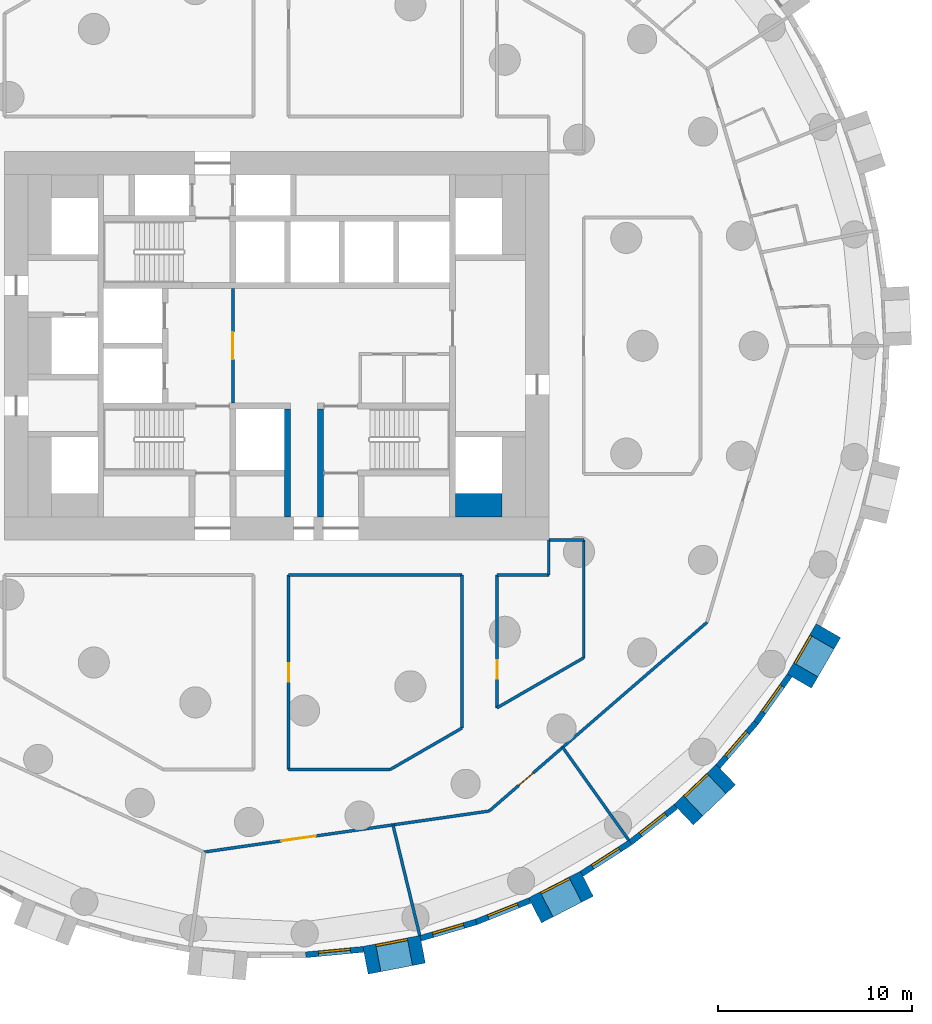
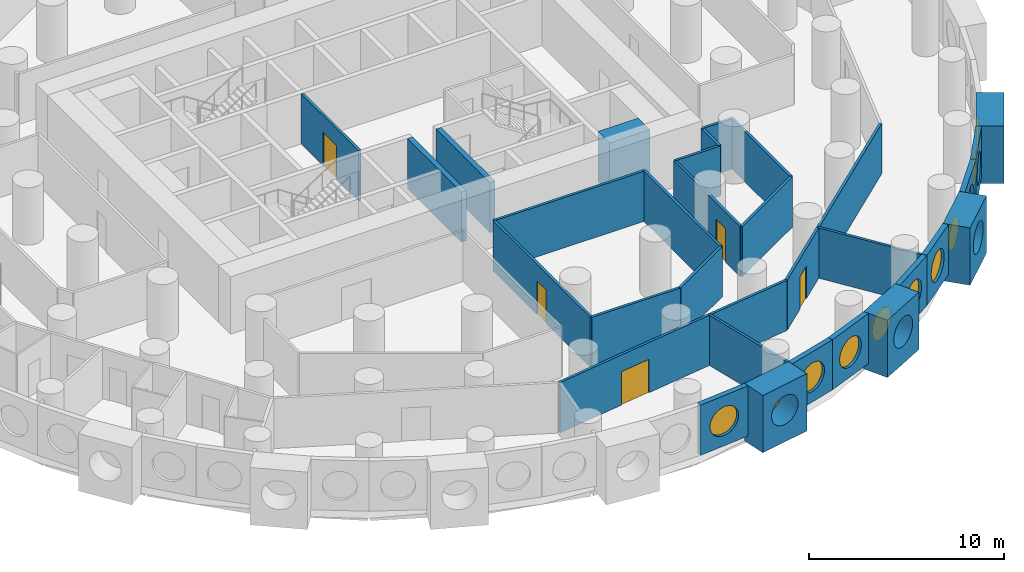
# One storey, part 5 of 12: 30 walls, 11 windows, 5 doors, 16 openings.
"""IFC4 building model written with IfcOpenShell, lengths in metres."""

import ifcopenshell
import ifcopenshell.guid

model = None  # the IFC model being written
_history = None  # IfcOwnerHistory: only IFC2X3 demands one
_inside = {}  # id of a spatial element -> (the spatial element, [elements in it])
_under = {}  # id of a project, library or spatial element -> (it, [spatial elements below it])
_declared = {}  # id of a project -> (the project, [libraries it declares])
_typed = {}  # id of a type object -> (the type object, [elements of that type])
_made_of = {}  # id of a material, layer set ... -> (it, [elements and type objects made of it])


def new_model(schema):
    """Start an empty IFC model of exactly this schema.

    Asked for "IFC4X3", IfcOpenShell would pick the latest addendum, in which some entities
    have other attributes; the version numbers below select the first issue.
    IFC2X3 requires an IfcOwnerHistory on every rooted entity: one is made here for all.
    """
    global model, _history
    if schema == "IFC4X3":
        model = ifcopenshell.file(schema_version=(4, 3, 0, 0))
    else:
        model = ifcopenshell.file(schema=schema)
    _inside.clear()
    _under.clear()
    _declared.clear()
    _typed.clear()
    _made_of.clear()
    _history = None
    if model.schema == "IFC2X3":
        org = make("IfcOrganization", Name="unknown")
        user = make(
            "IfcPersonAndOrganization",
            ThePerson=make("IfcPerson", FamilyName="unknown"),
            TheOrganization=org,
        )
        app = make(
            "IfcApplication",
            ApplicationDeveloper=org,
            Version="unknown",
            ApplicationFullName="unknown",
            ApplicationIdentifier="unknown",
        )
        _history = make(
            "IfcOwnerHistory",
            OwningUser=user,
            OwningApplication=app,
            ChangeAction="ADDED",
            CreationDate=0,
        )
    return model


def make(cls, **values):
    """One entity of the class cls with the attributes given. An attribute that is None is left unset."""
    return model.create_entity(
        cls, **{name: value for name, value in values.items() if value is not None}
    )


def rooted(cls, **values):
    """An entity with a GlobalId (a new one), such as an element, a storey or a relation."""
    return make(cls, GlobalId=ifcopenshell.guid.new(), OwnerHistory=_history, **values)


def si_unit(unit_type, name, prefix=None):
    """IfcSIUnit, for example si_unit("LENGTHUNIT", "METRE", prefix="MILLI")."""
    return make("IfcSIUnit", UnitType=unit_type, Prefix=prefix, Name=name)


def assignment(units):
    """IfcUnitAssignment: the units of a project."""
    return None if units is None else make("IfcUnitAssignment", Units=units)


def point(xyz):
    """IfcCartesianPoint."""
    return None if xyz is None else make("IfcCartesianPoint", Coordinates=xyz)


def direction(xyz):
    """IfcDirection."""
    return None if xyz is None else make("IfcDirection", DirectionRatios=xyz)


def frame(location, z_axis=None, x_axis=None):
    """IfcAxis2Placement3D, a coordinate frame: its origin and axes. An axis left out is left unset."""
    return make(
        "IfcAxis2Placement3D",
        Location=point(location),
        Axis=direction(z_axis),
        RefDirection=direction(x_axis),
    )


def frame_2d(location, x_axis=None):
    """IfcAxis2Placement2D, a coordinate frame in the plane: its origin and x axis."""
    return make(
        "IfcAxis2Placement2D", Location=point(location), RefDirection=direction(x_axis)
    )


def origin():
    """The frame at (0, 0, 0) with its axes left unset."""
    return frame((0.0, 0.0, 0.0))


def origin_2d():
    """The frame at (0, 0) in the plane with its x axis left unset."""
    return frame_2d((0.0, 0.0))


def place(relative_to, where):
    """IfcLocalPlacement: puts the frame where relative to a parent placement (None: the world)."""
    return make(
        "IfcLocalPlacement", PlacementRelTo=relative_to, RelativePlacement=where
    )


def context(
    kind, dimensions, precision=None, world=None, true_north=None, identifier=None
):
    """IfcGeometricRepresentationContext, for example the 3D "Model" context."""
    return make(
        "IfcGeometricRepresentationContext",
        ContextIdentifier=identifier,
        ContextType=kind,
        CoordinateSpaceDimension=dimensions,
        Precision=precision,
        WorldCoordinateSystem=world,
        TrueNorth=true_north,
    )


def subcontext(parent, identifier, kind, view, scale=None):
    """IfcGeometricRepresentationSubContext, for example "Body" below "Model"."""
    return make(
        "IfcGeometricRepresentationSubContext",
        ContextIdentifier=identifier,
        ContextType=kind,
        ParentContext=parent,
        TargetScale=scale,
        TargetView=view,
    )


def project(units=None, contexts=None):
    """IfcProject with its units and contexts."""
    return rooted(
        "IfcProject",
        Name="project",
        RepresentationContexts=contexts,
        UnitsInContext=assignment(units),
    )


def spatial(cls, under=None, at=None, **own):
    """A site, building, storey or space (cls), placed at a placement, below another one or the project."""
    s = rooted(cls, ObjectPlacement=at, **own)
    if under is not None:
        _under.setdefault(under.id(), (under, []))[1].append(s)
    return s


def profile(cls, at=None, kind="AREA", **sizes):
    """A parametric profile (cls). Its sizes go by their IFC names, for example OverallWidth=200.0."""
    return make(cls, ProfileType=kind, Position=at, **sizes)


def rectangle(**sizes):
    """IfcRectangleProfileDef."""
    return profile("IfcRectangleProfileDef", **sizes)


def circle(**sizes):
    """IfcCircleProfileDef."""
    return profile("IfcCircleProfileDef", **sizes)


def extrude(swept, where, along, depth):
    """IfcExtrudedAreaSolid: the profile swept, set in the frame where, extruded along a direction by depth."""
    return make(
        "IfcExtrudedAreaSolid",
        SweptArea=swept,
        Position=where,
        ExtrudedDirection=direction(along),
        Depth=depth,
    )


def shape(context_of_items, identifier, shape_type, items):
    """IfcShapeRepresentation: the items that make up one representation, for example the "Body"."""
    return make(
        "IfcShapeRepresentation",
        ContextOfItems=context_of_items,
        RepresentationIdentifier=identifier,
        RepresentationType=shape_type,
        Items=items,
    )


def material(Name=None, Category=None):
    """IfcMaterial."""
    return make("IfcMaterial", Name=Name, Category=Category)


def layer(
    of_material, thickness, ventilated=None, Name=None, Category=None, Priority=None
):
    """IfcMaterialLayer: one layer of a wall or slab, of a material (None: an air gap)."""
    return make(
        "IfcMaterialLayer",
        Material=of_material,
        LayerThickness=thickness,
        IsVentilated=ventilated,
        Name=Name,
        Category=Category,
        Priority=Priority,
    )


def layer_set(layers, Name=None):
    """IfcMaterialLayerSet."""
    return make("IfcMaterialLayerSet", MaterialLayers=layers, LayerSetName=Name)


def made_of(thing, what):
    """Note that an element or type object is made of a material, layer set ...; save() writes the relation."""
    if what is not None:
        _made_of.setdefault(what.id(), (what, []))[1].append(thing)
    return thing


def type_object(cls, material=None, **own):
    """A type object (cls), such as IfcWallType, which elements share."""
    return made_of(rooted(cls, **own), material)


def element(
    cls,
    number,
    at=None,
    inside=None,
    cuts=None,
    type_object=None,
    material=None,
    context=None,
    identifier="Body",
    shape_type=None,
    held_by="IfcProductDefinitionShape",
    body=None,
    shapes=None,
    **own,
):
    """One element of the class cls, such as IfcWall. Its Tag is "e" and its number.

    at: its placement. inside: the storey or other place that contains it. cuts: it is an
    opening in that element (IfcRelVoidsElement). A single representation is given by context,
    identifier, shape_type and body (its items); several are given by shapes. held_by: the class
    of the entity that holds the representations. save() writes the other relations.
    """
    e = rooted(cls, Tag="e%d" % number, ObjectPlacement=at, **own)
    if body is not None:
        shapes = [shape(context, identifier, shape_type, body)]
    if shapes is not None:
        e.Representation = make(held_by, Representations=shapes)
    if inside is not None:
        _inside.setdefault(inside.id(), (inside, []))[1].append(e)
    if cuts is not None:
        rooted(
            "IfcRelVoidsElement", RelatingBuildingElement=cuts, RelatedOpeningElement=e
        )
    if type_object is not None:
        _typed.setdefault(type_object.id(), (type_object, []))[1].append(e)
    return made_of(e, material)


def fill(opening, filler):
    """IfcRelFillsElement: the door or window that sits in an opening."""
    return rooted(
        "IfcRelFillsElement",
        RelatingOpeningElement=opening,
        RelatedBuildingElement=filler,
    )


def aggregate(whole, parts):
    """IfcRelAggregates: a whole, such as a stair, and the parts it consists of."""
    return rooted("IfcRelAggregates", RelatingObject=whole, RelatedObjects=parts)


def save(model, path):
    """Write the relations noted so far, then the file.

    IfcRelAggregates (storeys below a building ...), IfcRelContainedInSpatialStructure (elements
    in a storey), IfcRelDefinesByType, IfcRelAssociatesMaterial and IfcRelDeclares: one each for
    every whole, place, type object, material and project.
    """
    for whole, parts in _under.values():
        aggregate(whole, parts)
    for where, things in _inside.values():
        rooted(
            "IfcRelContainedInSpatialStructure",
            RelatedElements=things,
            RelatingStructure=where,
        )
    for kind, things in _typed.values():
        rooted("IfcRelDefinesByType", RelatedObjects=things, RelatingType=kind)
    for what, things in _made_of.values():
        rooted("IfcRelAssociatesMaterial", RelatedObjects=things, RelatingMaterial=what)
    for by, libraries in _declared.values():
        rooted("IfcRelDeclares", RelatingContext=by, RelatedDefinitions=libraries)
    model.write(path)


model = new_model("IFC4")

# Units and contexts
model_context = context("Model", 3, precision=1e-05, world=origin(), true_north=direction((0.0, 1.0)))
body_context = subcontext(model_context, "Body", "Model", "MODEL_VIEW")
ifc_project = project(units=[si_unit("LENGTHUNIT", "METRE"), si_unit("AREAUNIT", "SQUARE_METRE"), si_unit("VOLUMEUNIT", "CUBIC_METRE"), si_unit("PLANEANGLEUNIT", "RADIAN"), si_unit("MASSUNIT", "GRAM", prefix="KILO")], contexts=[model_context])

# Site, building, storey
site_placement = place(None, origin())
site = spatial("IfcSite", under=ifc_project, at=site_placement, CompositionType="ELEMENT")
building_placement = place(site_placement, origin())
building = spatial("IfcBuilding", under=site, at=building_placement, Name="Tracery Tower", CompositionType="ELEMENT")
storey_placement = place(building_placement, frame((0.0, 0.0, 35.39990234375)))
storey = spatial("IfcBuildingStorey", under=building, at=storey_placement, Name="L07", CompositionType="ELEMENT", Elevation=35.39990234375)

# Wall, opening, door
ifc_material_1 = material(Name="Plasterboard on steel studs", Category="steel")
ifc_layer_1 = layer(ifc_material_1, 0.14990234375)
ifc_layer_set_1 = layer_set([ifc_layer_1], Name="Core lobby partition 150")
wall_type_1 = type_object("IfcWallType", Name="Core lobby partition 150", PredefinedType="SOLIDWALL", material=ifc_layer_set_1)
wall_1_placement = place(storey_placement, frame((-2.25, -2.949951171875, 0.0), z_axis=(0.0, 0.0, 1.0), x_axis=(0.0, 1.0, 0.0)))
wall_1 = element("IfcWall", 1, at=wall_1_placement, inside=storey, type_object=wall_type_1, Name="L07 FF lobby E", PredefinedType="SOLIDWALL", context=body_context, shape_type="SweptSolid", body=[
    extrude(rectangle(XDim=5.89990234375, YDim=0.14990234375, at=frame_2d((2.949951171875, 0.0))), origin(), (0.0, 0.0, 1.0), 3.150146484375),
])
opening_1_placement = place(wall_1_placement, frame((2.25, 0.0, 0.0)))
opening_1 = element("IfcOpeningElement", 2, at=opening_1_placement, cuts=wall_1, Name="Opening KD8", PredefinedType="OPENING", context=body_context, shape_type="SweptSolid", body=[
    extrude(rectangle(XDim=1.39990234375, YDim=2.10009765625, at=frame_2d((0.699951171875, 1.050048828125))), frame((0.0, 0.074951171875, 0.0), z_axis=(0.0, -1.0, 0.0), x_axis=(1.0, 0.0, 0.0)), (0.0, 0.0, 1.0), 0.14990234375),
])
ifc_material_2 = material(Name="Steel fire door", Category="steel")
door_type_1 = type_object("IfcDoorType", Name="Core lobby door 1400 double", OperationType="NOTDEFINED", PredefinedType="DOOR", material=ifc_material_2)
door_1_placement = place(opening_1_placement, origin())
door_1 = element("IfcDoor", 3, at=door_1_placement, inside=storey, type_object=door_type_1, Name="Fire-fighting lobby door", OperationType="DOUBLE_DOOR_SINGLE_SWING", OverallHeight=2.10009765625, OverallWidth=1.39990234375, PredefinedType="DOOR", context=body_context, shape_type="SweptSolid", body=[
    extrude(rectangle(XDim=1.39990234375, YDim=2.10009765625, at=frame_2d((0.699951171875, 1.050048828125))), frame((0.0, 0.02490234375, 0.0), z_axis=(0.0, -1.0, 0.0), x_axis=(1.0, 0.0, 0.0)), (0.0, 0.0, 1.0), 0.050048828125),
])
fill(opening_1, door_1)

# Wall
ifc_material_3 = material(Name="Concrete C60/75", Category="concrete")
ifc_layer_2 = layer(ifc_material_3, 1.199951171875)
ifc_layer_set_2 = layer_set([ifc_layer_2], Name="Core strip wall 1200 C60")
wall_type_2 = type_object("IfcWallType", Name="Core strip wall 1200 C60", PredefinedType="SOLIDWALL", material=ifc_layer_set_2)
wall_2_placement = place(storey_placement, frame((9.199951171875, -8.199951171875, 0.0), z_axis=(0.0, 0.0, 1.0), x_axis=(1.0, 0.0, 0.0)))
element("IfcWall", 4, at=wall_2_placement, inside=storey, type_object=wall_type_2, Name="L07 wing corner +1 -8.2", PredefinedType="SOLIDWALL", context=body_context, shape_type="SweptSolid", body=[
    extrude(rectangle(XDim=2.400146484375, YDim=1.199951171875, at=frame_2d((1.2001953125, 0.0))), origin(), (0.0, 0.0, 1.0), 3.150146484375),
])

# Wall, opening, window
ifc_material_4 = material(Name="Precast concrete C50/60", Category="concrete")
ifc_layer_3 = layer(ifc_material_4, 1.449951171875)
ifc_layer_set_3 = layer_set([ifc_layer_3], Name="Deep-set bay unit 3000 x 3600, slab edge 450")
wall_type_3 = type_object("IfcWallType", Name="Deep-set bay unit 3000 x 3600, slab edge 450", PredefinedType="ELEMENTEDWALL", material=ifc_layer_set_3)
wall_3_placement = place(storey_placement, frame((4.56689453125, -31.62109375, -0.449951171875), z_axis=(0.0, 0.0, 1.0), x_axis=(0.981921602273, 0.189288052949, 0.0)))
wall_3 = element("IfcWall", 5, at=wall_3_placement, inside=storey, type_object=wall_type_3, Name="Deep-set bay unit 52 at L07", PredefinedType="ELEMENTEDWALL", context=body_context, shape_type="SweptSolid", body=[
    extrude(rectangle(XDim=3.0, YDim=1.449951171875, at=frame_2d((1.5, 0.0))), origin(), (0.0, 0.0, 1.0), 3.60009765625),
])
opening_2_placement = place(wall_3_placement, frame((1.5, 0.0, 2.0)))
opening_2 = element("IfcOpeningElement", 6, at=opening_2_placement, cuts=wall_3, Name="Opening WN1", PredefinedType="OPENING", context=body_context, shape_type="SweptSolid", body=[
    extrude(circle(Radius=0.9000244140625, at=origin_2d()), frame((0.0, 0.73486328125, 0.0), z_axis=(0.0, -1.0, 0.0), x_axis=(1.0, 0.0, 0.0)), (0.0, 0.0, 1.0), 1.469970703125),
])
ifc_material_5 = material(Name="Aluminium frame with tinted double glazing", Category="aluminium")
window_type = type_object("IfcWindowType", Name="Round window 1800", PartitioningType="SINGLE_PANEL", PredefinedType="WINDOW", material=ifc_material_5)
window_1_placement = place(opening_2_placement, origin())
window_1 = element("IfcWindow", 7, at=window_1_placement, inside=storey, type_object=window_type, Name="Round window 52 at L07", OverallHeight=1.800048828125, OverallWidth=1.800048828125, PartitioningType="SINGLE_PANEL", PredefinedType="WINDOW", context=body_context, shape_type="SweptSolid", body=[
    extrude(circle(Radius=0.9000244140625, at=origin_2d()), frame((0.0, 0.69482421875, 0.0), z_axis=(0.0, -1.0, 0.0), x_axis=(1.0, 0.0, 0.0)), (0.0, 0.0, 1.0), 0.10009765625),
])
fill(opening_2, window_1)

wall_4_placement = place(storey_placement, frame((13.29052734375, -29.053466796875, -0.449951171875), z_axis=(0.0, 0.0, 1.0), x_axis=(0.888858064689, 0.458182650083, 0.0)))
wall_4 = element("IfcWall", 8, at=wall_4_placement, inside=storey, type_object=wall_type_3, Name="Deep-set bay unit 55 at L07", PredefinedType="ELEMENTEDWALL", context=body_context, shape_type="SweptSolid", body=[
    extrude(rectangle(XDim=3.0, YDim=1.449951171875, at=frame_2d((1.5, 0.0))), origin(), (0.0, 0.0, 1.0), 3.60009765625),
])
opening_3_placement = place(wall_4_placement, frame((1.5, 0.0, 2.0)))
opening_3 = element("IfcOpeningElement", 9, at=opening_3_placement, cuts=wall_4, Name="Opening WN1", PredefinedType="OPENING", context=body_context, shape_type="SweptSolid", body=[
    extrude(circle(Radius=0.9000244140625, at=origin_2d()), frame((0.0, 0.73486328125, 0.0), z_axis=(0.0, -1.0, 0.0), x_axis=(1.0, 0.0, 0.0)), (0.0, 0.0, 1.0), 1.469970703125),
])
window_2_placement = place(opening_3_placement, origin())
window_2 = element("IfcWindow", 10, at=window_2_placement, inside=storey, type_object=window_type, Name="Round window 55 at L07", OverallHeight=1.800048828125, OverallWidth=1.800048828125, PartitioningType="SINGLE_PANEL", PredefinedType="WINDOW", context=body_context, shape_type="SweptSolid", body=[
    extrude(circle(Radius=0.9000244140625, at=origin_2d()), frame((0.0, 0.69482421875, 0.0), z_axis=(0.0, -1.0, 0.0), x_axis=(1.0, 0.0, 0.0)), (0.0, 0.0, 1.0), 0.10009765625),
])
fill(opening_3, window_2)

wall_5_placement = place(storey_placement, frame((20.9375, -24.13232421875, -0.449951171875), z_axis=(0.0, 0.0, 1.0), x_axis=(0.723712023899, 0.690102098579, 0.0)))
wall_5 = element("IfcWall", 11, at=wall_5_placement, inside=storey, type_object=wall_type_3, Name="Deep-set bay unit 58 at L07", PredefinedType="ELEMENTEDWALL", context=body_context, shape_type="SweptSolid", body=[
    extrude(rectangle(XDim=3.0, YDim=1.449951171875, at=frame_2d((1.5, 0.0))), origin(), (0.0, 0.0, 1.0), 3.60009765625),
])
opening_4_placement = place(wall_5_placement, frame((1.5, 0.0, 2.0)))
opening_4 = element("IfcOpeningElement", 12, at=opening_4_placement, cuts=wall_5, Name="Opening WN1", PredefinedType="OPENING", context=body_context, shape_type="SweptSolid", body=[
    extrude(circle(Radius=0.9000244140625, at=origin_2d()), frame((0.0, 0.73486328125, 0.0), z_axis=(0.0, -1.0, 0.0), x_axis=(1.0, 0.0, 0.0)), (0.0, 0.0, 1.0), 1.469970703125),
])
window_3_placement = place(opening_4_placement, origin())
window_3 = element("IfcWindow", 13, at=window_3_placement, inside=storey, type_object=window_type, Name="Round window 58 at L07", OverallHeight=1.800048828125, OverallWidth=1.800048828125, PartitioningType="SINGLE_PANEL", PredefinedType="WINDOW", context=body_context, shape_type="SweptSolid", body=[
    extrude(circle(Radius=0.9000244140625, at=origin_2d()), frame((0.0, 0.69482421875, 0.0), z_axis=(0.0, -1.0, 0.0), x_axis=(1.0, 0.0, 0.0)), (0.0, 0.0, 1.0), 0.10009765625),
])
fill(opening_4, window_3)

wall_6_placement = place(storey_placement, frame((26.88818359375, -17.256103515625, -0.449951171875), z_axis=(0.0, 0.0, 1.0), x_axis=(0.499990139034, 0.866031096941, 0.0)))
wall_6 = element("IfcWall", 14, at=wall_6_placement, inside=storey, type_object=wall_type_3, Name="Deep-set bay unit 61 at L07", PredefinedType="ELEMENTEDWALL", context=body_context, shape_type="SweptSolid", body=[
    extrude(rectangle(XDim=3.0, YDim=1.449951171875, at=frame_2d((1.5, 0.0))), origin(), (0.0, 0.0, 1.0), 3.60009765625),
])
opening_5_placement = place(wall_6_placement, frame((1.5, 0.0, 2.0)))
opening_5 = element("IfcOpeningElement", 15, at=opening_5_placement, cuts=wall_6, Name="Opening WN1", PredefinedType="OPENING", context=body_context, shape_type="SweptSolid", body=[
    extrude(circle(Radius=0.9000244140625, at=origin_2d()), frame((0.0, 0.73486328125, 0.0), z_axis=(0.0, -1.0, 0.0), x_axis=(1.0, 0.0, 0.0)), (0.0, 0.0, 1.0), 1.469970703125),
])
window_4_placement = place(opening_5_placement, origin())
window_4 = element("IfcWindow", 16, at=window_4_placement, inside=storey, type_object=window_type, Name="Round window 61 at L07", OverallHeight=1.800048828125, OverallWidth=1.800048828125, PartitioningType="SINGLE_PANEL", PredefinedType="WINDOW", context=body_context, shape_type="SweptSolid", body=[
    extrude(circle(Radius=0.9000244140625, at=origin_2d()), frame((0.0, 0.69482421875, 0.0), z_axis=(0.0, -1.0, 0.0), x_axis=(1.0, 0.0, 0.0)), (0.0, 0.0, 1.0), 0.10009765625),
])
fill(opening_5, window_4)

ifc_material_6 = material(Name="Precast concrete C50/60", Category="concrete")
ifc_layer_4 = layer(ifc_material_6, 0.300048828125)
ifc_layer_set_4 = layer_set([ifc_layer_4], Name="Facade panel 3000 x 3150")
wall_type_4 = type_object("IfcWallType", Name="Facade panel 3000 x 3150", PredefinedType="SOLIDWALL", material=ifc_layer_set_4)
wall_7_placement = place(storey_placement, frame((1.492919921875, -31.3388671875, 0.0), z_axis=(0.0, 0.0, 1.0), x_axis=(0.995472611385, 0.095048829468, 0.0)))
wall_7 = element("IfcWall", 17, at=wall_7_placement, inside=storey, type_object=wall_type_4, Name="Facade panel 51 at L07", PredefinedType="SOLIDWALL", context=body_context, shape_type="SweptSolid", body=[
    extrude(rectangle(XDim=2.9794921875, YDim=0.300048828125, at=frame_2d((1.48974609375, 0.0))), origin(), (0.0, 0.0, 1.0), 3.150146484375),
])
opening_6_placement = place(wall_7_placement, frame((1.48974609375, 0.0, 1.5498046875)))
opening_6 = element("IfcOpeningElement", 18, at=opening_6_placement, cuts=wall_7, Name="Opening WN1", PredefinedType="OPENING", context=body_context, shape_type="SweptSolid", body=[
    extrude(circle(Radius=0.9000244140625, at=origin_2d()), frame((0.0, 0.159912109375, 0.0), z_axis=(0.0, -1.0, 0.0), x_axis=(1.0, 0.0, 0.0)), (0.0, 0.0, 1.0), 0.320068359375),
])
window_5_placement = place(opening_6_placement, origin())
window_5 = element("IfcWindow", 19, at=window_5_placement, inside=storey, type_object=window_type, Name="Round window 51 at L07", OverallHeight=1.800048828125, OverallWidth=1.800048828125, PartitioningType="SINGLE_PANEL", PredefinedType="WINDOW", context=body_context, shape_type="SweptSolid", body=[
    extrude(circle(Radius=0.9000244140625, at=origin_2d()), frame((0.0, 0.1201171875, 0.0), z_axis=(0.0, -1.0, 0.0), x_axis=(1.0, 0.0, 0.0)), (0.0, 0.0, 1.0), 0.10009765625),
])
fill(opening_6, window_5)

wall_8_placement = place(storey_placement, frame((7.402587890625, -30.48828125, 0.0), z_axis=(0.0, 0.0, 1.0), x_axis=(0.959501085144, 0.281704930036, 0.0)))
wall_8 = element("IfcWall", 20, at=wall_8_placement, inside=storey, type_object=wall_type_4, Name="Facade panel 53 at L07", PredefinedType="SOLIDWALL", context=body_context, shape_type="SweptSolid", body=[
    extrude(rectangle(XDim=2.9794921875, YDim=0.300048828125, at=frame_2d((1.48974609375, 0.0))), origin(), (0.0, 0.0, 1.0), 3.150146484375),
])
opening_7_placement = place(wall_8_placement, frame((1.48974609375, 0.0, 1.5498046875)))
opening_7 = element("IfcOpeningElement", 21, at=opening_7_placement, cuts=wall_8, Name="Opening WN1", PredefinedType="OPENING", context=body_context, shape_type="SweptSolid", body=[
    extrude(circle(Radius=0.9000244140625, at=origin_2d()), frame((0.0, 0.159912109375, 0.0), z_axis=(0.0, -1.0, 0.0), x_axis=(1.0, 0.0, 0.0)), (0.0, 0.0, 1.0), 0.320068359375),
])
window_6_placement = place(opening_7_placement, origin())
window_6 = element("IfcWindow", 22, at=window_6_placement, inside=storey, type_object=window_type, Name="Round window 53 at L07", OverallHeight=1.800048828125, OverallWidth=1.800048828125, PartitioningType="SINGLE_PANEL", PredefinedType="WINDOW", context=body_context, shape_type="SweptSolid", body=[
    extrude(circle(Radius=0.9000244140625, at=origin_2d()), frame((0.0, 0.1201171875, 0.0), z_axis=(0.0, -1.0, 0.0), x_axis=(1.0, 0.0, 0.0)), (0.0, 0.0, 1.0), 0.10009765625),
])
fill(opening_7, window_6)

wall_9_placement = place(storey_placement, frame((10.261474609375, -29.64892578125, 0.0), z_axis=(0.0, 0.0, 1.0), x_axis=(0.928374947, 0.371644935098, 0.0)))
wall_9 = element("IfcWall", 23, at=wall_9_placement, inside=storey, type_object=wall_type_4, Name="Facade panel 54 at L07", PredefinedType="SOLIDWALL", context=body_context, shape_type="SweptSolid", body=[
    extrude(rectangle(XDim=2.979736328125, YDim=0.300048828125, at=frame_2d((1.48974609375, 0.0))), origin(), (0.0, 0.0, 1.0), 3.150146484375),
])
opening_8_placement = place(wall_9_placement, frame((1.48974609375, 0.0, 1.5498046875)))
opening_8 = element("IfcOpeningElement", 24, at=opening_8_placement, cuts=wall_9, Name="Opening WN1", PredefinedType="OPENING", context=body_context, shape_type="SweptSolid", body=[
    extrude(circle(Radius=0.9000244140625, at=origin_2d()), frame((0.0, 0.159912109375, 0.0), z_axis=(0.0, -1.0, 0.0), x_axis=(1.0, 0.0, 0.0)), (0.0, 0.0, 1.0), 0.320068359375),
])
window_7_placement = place(opening_8_placement, origin())
window_7 = element("IfcWindow", 25, at=window_7_placement, inside=storey, type_object=window_type, Name="Round window 54 at L07", OverallHeight=1.800048828125, OverallWidth=1.800048828125, PartitioningType="SINGLE_PANEL", PredefinedType="WINDOW", context=body_context, shape_type="SweptSolid", body=[
    extrude(circle(Radius=0.9000244140625, at=origin_2d()), frame((0.0, 0.1201171875, 0.0), z_axis=(0.0, -1.0, 0.0), x_axis=(1.0, 0.0, 0.0)), (0.0, 0.0, 1.0), 0.10009765625),
])
fill(opening_8, window_7)

wall_10_placement = place(storey_placement, frame((15.6923828125, -27.167724609375, 0.0), z_axis=(0.0, 0.0, 1.0), x_axis=(0.841260995538, 0.54062920508, 0.0)))
wall_10 = element("IfcWall", 26, at=wall_10_placement, inside=storey, type_object=wall_type_4, Name="Facade panel 56 at L07", PredefinedType="SOLIDWALL", context=body_context, shape_type="SweptSolid", body=[
    extrude(rectangle(XDim=2.9794921875, YDim=0.300048828125, at=frame_2d((1.48974609375, 0.0))), origin(), (0.0, 0.0, 1.0), 3.150146484375),
])
opening_9_placement = place(wall_10_placement, frame((1.48974609375, 0.0, 1.5498046875)))
opening_9 = element("IfcOpeningElement", 27, at=opening_9_placement, cuts=wall_10, Name="Opening WN1", PredefinedType="OPENING", context=body_context, shape_type="SweptSolid", body=[
    extrude(circle(Radius=0.9000244140625, at=origin_2d()), frame((0.0, 0.159912109375, 0.0), z_axis=(0.0, -1.0, 0.0), x_axis=(1.0, 0.0, 0.0)), (0.0, 0.0, 1.0), 0.320068359375),
])
window_8_placement = place(opening_9_placement, origin())
window_8 = element("IfcWindow", 28, at=window_8_placement, inside=storey, type_object=window_type, Name="Round window 56 at L07", OverallHeight=1.800048828125, OverallWidth=1.800048828125, PartitioningType="SINGLE_PANEL", PredefinedType="WINDOW", context=body_context, shape_type="SweptSolid", body=[
    extrude(circle(Radius=0.9000244140625, at=origin_2d()), frame((0.0, 0.1201171875, 0.0), z_axis=(0.0, -1.0, 0.0), x_axis=(1.0, 0.0, 0.0)), (0.0, 0.0, 1.0), 0.10009765625),
])
fill(opening_9, window_8)

wall_11_placement = place(storey_placement, frame((18.198974609375, -25.556884765625, 0.0), z_axis=(0.0, 0.0, 1.0), x_axis=(0.786053834673, 0.618158045322, 0.0)))
wall_11 = element("IfcWall", 29, at=wall_11_placement, inside=storey, type_object=wall_type_4, Name="Facade panel 57 at L07", PredefinedType="SOLIDWALL", context=body_context, shape_type="SweptSolid", body=[
    extrude(rectangle(XDim=2.9794921875, YDim=0.300048828125, at=frame_2d((1.48974609375, 0.0))), origin(), (0.0, 0.0, 1.0), 3.150146484375),
])
opening_10_placement = place(wall_11_placement, frame((1.48974609375, 0.0, 1.5498046875)))
opening_10 = element("IfcOpeningElement", 30, at=opening_10_placement, cuts=wall_11, Name="Opening WN1", PredefinedType="OPENING", context=body_context, shape_type="SweptSolid", body=[
    extrude(circle(Radius=0.9000244140625, at=origin_2d()), frame((0.0, 0.159912109375, 0.0), z_axis=(0.0, -1.0, 0.0), x_axis=(1.0, 0.0, 0.0)), (0.0, 0.0, 1.0), 0.320068359375),
])
window_9_placement = place(opening_10_placement, origin())
window_9 = element("IfcWindow", 31, at=window_9_placement, inside=storey, type_object=window_type, Name="Round window 57 at L07", OverallHeight=1.800048828125, OverallWidth=1.800048828125, PartitioningType="SINGLE_PANEL", PredefinedType="WINDOW", context=body_context, shape_type="SweptSolid", body=[
    extrude(circle(Radius=0.9000244140625, at=origin_2d()), frame((0.0, 0.1201171875, 0.0), z_axis=(0.0, -1.0, 0.0), x_axis=(1.0, 0.0, 0.0)), (0.0, 0.0, 1.0), 0.10009765625),
])
fill(opening_10, window_9)

wall_12_placement = place(storey_placement, frame((22.710693359375, -21.646240234375, 0.0), z_axis=(0.0, 0.0, 1.0), x_axis=(0.654830712471, 0.755775587066, 0.0)))
wall_12 = element("IfcWall", 32, at=wall_12_placement, inside=storey, type_object=wall_type_4, Name="Facade panel 59 at L07", PredefinedType="SOLIDWALL", context=body_context, shape_type="SweptSolid", body=[
    extrude(rectangle(XDim=2.979736328125, YDim=0.300048828125, at=frame_2d((1.48974609375, 0.0))), origin(), (0.0, 0.0, 1.0), 3.150146484375),
])
opening_11_placement = place(wall_12_placement, frame((1.48974609375, 0.0, 1.5498046875)))
opening_11 = element("IfcOpeningElement", 33, at=opening_11_placement, cuts=wall_12, Name="Opening WN1", PredefinedType="OPENING", context=body_context, shape_type="SweptSolid", body=[
    extrude(circle(Radius=0.9000244140625, at=origin_2d()), frame((0.0, 0.159912109375, 0.0), z_axis=(0.0, -1.0, 0.0), x_axis=(1.0, 0.0, 0.0)), (0.0, 0.0, 1.0), 0.320068359375),
])
window_10_placement = place(opening_11_placement, origin())
window_10 = element("IfcWindow", 34, at=window_10_placement, inside=storey, type_object=window_type, Name="Round window 59 at L07", OverallHeight=1.800048828125, OverallWidth=1.800048828125, PartitioningType="SINGLE_PANEL", PredefinedType="WINDOW", context=body_context, shape_type="SweptSolid", body=[
    extrude(circle(Radius=0.9000244140625, at=origin_2d()), frame((0.0, 0.1201171875, 0.0), z_axis=(0.0, -1.0, 0.0), x_axis=(1.0, 0.0, 0.0)), (0.0, 0.0, 1.0), 0.10009765625),
])
fill(opening_11, window_10)

wall_13_placement = place(storey_placement, frame((24.661865234375, -19.394287109375, 0.0), z_axis=(0.0, 0.0, 1.0), x_axis=(0.580113774115, 0.814535456, 0.0)))
wall_13 = element("IfcWall", 35, at=wall_13_placement, inside=storey, type_object=wall_type_4, Name="Facade panel 60 at L07", PredefinedType="SOLIDWALL", context=body_context, shape_type="SweptSolid", body=[
    extrude(rectangle(XDim=2.979736328125, YDim=0.300048828125, at=frame_2d((1.48974609375, 0.0))), origin(), (0.0, 0.0, 1.0), 3.150146484375),
])
opening_12_placement = place(wall_13_placement, frame((1.48974609375, 0.0, 1.5498046875)))
opening_12 = element("IfcOpeningElement", 36, at=opening_12_placement, cuts=wall_13, Name="Opening WN1", PredefinedType="OPENING", context=body_context, shape_type="SweptSolid", body=[
    extrude(circle(Radius=0.9000244140625, at=origin_2d()), frame((0.0, 0.159912109375, 0.0), z_axis=(0.0, -1.0, 0.0), x_axis=(1.0, 0.0, 0.0)), (0.0, 0.0, 1.0), 0.320068359375),
])
window_11_placement = place(opening_12_placement, origin())
window_11 = element("IfcWindow", 37, at=window_11_placement, inside=storey, type_object=window_type, Name="Round window 60 at L07", OverallHeight=1.800048828125, OverallWidth=1.800048828125, PartitioningType="SINGLE_PANEL", PredefinedType="WINDOW", context=body_context, shape_type="SweptSolid", body=[
    extrude(circle(Radius=0.9000244140625, at=origin_2d()), frame((0.0, 0.1201171875, 0.0), z_axis=(0.0, -1.0, 0.0), x_axis=(1.0, 0.0, 0.0)), (0.0, 0.0, 1.0), 0.10009765625),
])
fill(opening_12, window_11)

# Walls
ifc_material_7 = material(Name="Plasterboard on steel studs", Category="steel")
ifc_layer_5 = layer(ifc_material_7, 0.14990234375)
ifc_layer_set_5 = layer_set([ifc_layer_5], Name="Partition 150 acoustic unit wall")
wall_type_5 = type_object("IfcWallType", Name="Partition 150 acoustic unit wall", PredefinedType="PARTITIONING", material=ifc_layer_set_5)
wall_14_placement = place(storey_placement, frame((5.98095703125, -24.652099609375, 0.0), z_axis=(0.0, 0.0, 1.0), x_axis=(0.235644168604, -0.971839403298, 0.0)))
element("IfcWall", 38, at=wall_14_placement, inside=storey, type_object=wall_type_5, Name="Unit wall RA1-113", PredefinedType="PARTITIONING", context=body_context, shape_type="SweptSolid", body=[
    extrude(rectangle(XDim=5.85693359375, YDim=0.14990234375, at=frame_2d((2.928466796875, 0.0))), origin(), (0.0, 0.0, 1.0), 3.150146484375),
])
wall_15_placement = place(storey_placement, frame((14.715087890625, -20.6640625, 0.0), z_axis=(0.0, 0.0, 1.0), x_axis=(0.580007254017, -0.814611309329, 0.0)))
element("IfcWall", 39, at=wall_15_placement, inside=storey, type_object=wall_type_5, Name="Unit wall RA1-114", PredefinedType="PARTITIONING", context=body_context, shape_type="SweptSolid", body=[
    extrude(rectangle(XDim=5.856689453125, YDim=0.14990234375, at=frame_2d((2.92822265625, 0.0))), origin(), (0.0, 0.0, 1.0), 3.150146484375),
])
ifc_material_8 = material(Name="Plasterboard on steel studs", Category="steel")
ifc_layer_6 = layer(ifc_material_8, 0.14990234375)
ifc_layer_set_6 = layer_set([ifc_layer_6], Name="Partition 150 corridor wall")
wall_type_6 = type_object("IfcWallType", Name="Partition 150 corridor wall", PredefinedType="PARTITIONING", material=ifc_layer_set_6)
wall_16_placement = place(storey_placement, frame((0.60400390625, -11.800048828125, 0.0), z_axis=(0.0, 0.0, 1.0), x_axis=(1.0, 0.0, 0.0)))
element("IfcWall", 40, at=wall_16_placement, inside=storey, type_object=wall_type_6, Name="Corridor wall RA1-006", PredefinedType="PARTITIONING", context=body_context, shape_type="SweptSolid", body=[
    extrude(rectangle(XDim=8.93603515625, YDim=0.14990234375, at=frame_2d((4.468017578125, 0.0))), origin(), (0.0, 0.0, 1.0), 3.150146484375),
])
wall_17_placement = place(storey_placement, frame((14.0, -11.800048828125, 0.0), z_axis=(0.0, 0.0, 1.0), x_axis=(0.0, 1.0, 0.0)))
element("IfcWall", 41, at=wall_17_placement, inside=storey, type_object=wall_type_6, Name="Corridor wall RA1-007", PredefinedType="PARTITIONING", context=body_context, shape_type="SweptSolid", body=[
    extrude(rectangle(XDim=1.800048828125, YDim=0.14990234375, at=frame_2d((0.89990234375, 0.0))), origin(), (0.0, 0.0, 1.0), 3.150146484375),
])
wall_18_placement = place(storey_placement, frame((11.33203125, -11.800048828125, 0.0), z_axis=(0.0, 0.0, 1.0), x_axis=(1.0, 0.0, 0.0)))
element("IfcWall", 42, at=wall_18_placement, inside=storey, type_object=wall_type_6, Name="Corridor wall RA1-008", PredefinedType="PARTITIONING", context=body_context, shape_type="SweptSolid", body=[
    extrude(rectangle(XDim=2.66796875, YDim=0.14990234375, at=frame_2d((1.333984375, 0.0))), origin(), (0.0, 0.0, 1.0), 3.150146484375),
])
wall_19_placement = place(storey_placement, frame((14.0, -10.0, 0.0), z_axis=(0.0, 0.0, 1.0), x_axis=(1.0, 0.0, 0.0)))
element("IfcWall", 43, at=wall_19_placement, inside=storey, type_object=wall_type_6, Name="Corridor wall RA1-010", PredefinedType="PARTITIONING", context=body_context, shape_type="SweptSolid", body=[
    extrude(rectangle(XDim=1.800048828125, YDim=0.14990234375, at=frame_2d((0.89990234375, 0.0))), origin(), (0.0, 0.0, 1.0), 3.150146484375),
])
wall_20_placement = place(storey_placement, frame((15.800048828125, -16.052978515625, 0.0), z_axis=(0.0, 0.0, 1.0), x_axis=(0.0, 1.0, 0.0)))
element("IfcWall", 44, at=wall_20_placement, inside=storey, type_object=wall_type_6, Name="Corridor wall RA1-014", PredefinedType="PARTITIONING", context=body_context, shape_type="SweptSolid", body=[
    extrude(rectangle(XDim=6.056884765625, YDim=0.14990234375, at=frame_2d((3.0283203125, 0.0))), origin(), (0.0, 0.0, 1.0), 3.150146484375),
])

# Wall, opening, door
wall_21_placement = place(storey_placement, frame((10.93310546875, -23.940185546875, 0.0), z_axis=(0.0, 0.0, 1.0), x_axis=(0.755770011705, 0.654837147242, 0.0)))
wall_21 = element("IfcWall", 45, at=wall_21_placement, inside=storey, type_object=wall_type_6, Name="Corridor wall RA1-023", PredefinedType="PARTITIONING", context=body_context, shape_type="SweptSolid", body=[
    extrude(rectangle(XDim=14.829833984375, YDim=0.14990234375, at=frame_2d((7.4150390625, 0.0))), origin(), (0.0, 0.0, 1.0), 3.150146484375),
])
opening_13_placement = place(wall_21_placement, frame((2.0029296875, 0.0, 0.0)))
opening_13 = element("IfcOpeningElement", 46, at=opening_13_placement, cuts=wall_21, Name="Opening RA1-47", PredefinedType="OPENING", context=body_context, shape_type="SweptSolid", body=[
    extrude(rectangle(XDim=1.0, YDim=2.0400390625, at=frame_2d((0.5, 1.02001953125))), frame((0.0, 0.074951171875, 0.0), z_axis=(0.0, -1.0, 0.0), x_axis=(1.0, 0.0, 0.0)), (0.0, 0.0, 1.0), 0.14990234375),
])
ifc_material_9 = material(Name="Timber door leaf", Category="wood")
door_type_2 = type_object("IfcDoorType", Name="Door communal room 1000", OperationType="NOTDEFINED", PredefinedType="DOOR", material=ifc_material_9)
door_2_placement = place(opening_13_placement, origin())
door_2 = element("IfcDoor", 47, at=door_2_placement, inside=storey, type_object=door_type_2, Name="Communal room door RA1-47", OperationType="SINGLE_SWING_RIGHT", OverallHeight=2.0400390625, OverallWidth=1.0, PredefinedType="DOOR", context=body_context, shape_type="SweptSolid", body=[
    extrude(rectangle(XDim=1.0, YDim=2.0400390625, at=frame_2d((0.5, 1.02001953125))), frame((0.0, 0.02490234375, 0.0), z_axis=(0.0, -1.0, 0.0), x_axis=(1.0, 0.0, 0.0)), (0.0, 0.0, 1.0), 0.050048828125),
])
fill(opening_13, door_2)

wall_22_placement = place(storey_placement, frame((0.60791015625, -21.802001953125, 0.0), z_axis=(0.0, 0.0, 1.0), x_axis=(0.0, 1.0, 0.0)))
wall_22 = element("IfcWall", 48, at=wall_22_placement, inside=storey, type_object=wall_type_6, Name="Corridor wall RA1-049", PredefinedType="PARTITIONING", context=body_context, shape_type="SweptSolid", body=[
    extrude(rectangle(XDim=10.001953125, YDim=0.14990234375, at=frame_2d((5.0009765625, 0.0))), origin(), (0.0, 0.0, 1.0), 3.150146484375),
])
opening_14_placement = place(wall_22_placement, frame((4.52587890625, 0.0, 0.0)))
opening_14 = element("IfcOpeningElement", 49, at=opening_14_placement, cuts=wall_22, Name="Opening RA1-05", PredefinedType="OPENING", context=body_context, shape_type="SweptSolid", body=[
    extrude(rectangle(XDim=0.949951171875, YDim=2.10009765625, at=frame_2d((0.47509765625, 1.050048828125))), frame((0.0, 0.074951171875, 0.0), z_axis=(0.0, -1.0, 0.0), x_axis=(1.0, 0.0, 0.0)), (0.0, 0.0, 1.0), 0.14990234375),
])
ifc_material_10 = material(Name="Timber door leaf", Category="wood")
door_type_3 = type_object("IfcDoorType", Name="Door store 950", OperationType="NOTDEFINED", PredefinedType="DOOR", material=ifc_material_10)
door_3_placement = place(opening_14_placement, origin())
door_3 = element("IfcDoor", 50, at=door_3_placement, inside=storey, type_object=door_type_3, Name="Store door RA1-05", OperationType="SINGLE_SWING_RIGHT", OverallHeight=2.10009765625, OverallWidth=0.949951171875, PredefinedType="DOOR", context=body_context, shape_type="SweptSolid", body=[
    extrude(rectangle(XDim=0.949951171875, YDim=2.10009765625, at=frame_2d((0.47509765625, 1.050048828125))), frame((0.0, 0.02490234375, 0.0), z_axis=(0.0, -1.0, 0.0), x_axis=(1.0, 0.0, 0.0)), (0.0, 0.0, 1.0), 0.050048828125),
])
fill(opening_14, door_3)

# Walls
wall_23_placement = place(storey_placement, frame((0.60791015625, -21.802001953125, 0.0), z_axis=(0.0, 0.0, 1.0), x_axis=(1.0, 0.0, 0.0)))
element("IfcWall", 51, at=wall_23_placement, inside=storey, type_object=wall_type_6, Name="Corridor wall RA1-050", PredefinedType="PARTITIONING", context=body_context, shape_type="SweptSolid", body=[
    extrude(rectangle(XDim=5.234130859375, YDim=0.14990234375, at=frame_2d((2.6171875, 0.0))), origin(), (0.0, 0.0, 1.0), 3.150146484375),
])
wall_24_placement = place(storey_placement, frame((5.842041015625, -21.802001953125, 0.0), z_axis=(0.0, 0.0, 1.0), x_axis=(0.865983505205, 0.500072563448, 0.0)))
element("IfcWall", 52, at=wall_24_placement, inside=storey, type_object=wall_type_6, Name="Corridor wall RA1-051", PredefinedType="PARTITIONING", context=body_context, shape_type="SweptSolid", body=[
    extrude(rectangle(XDim=4.265380859375, YDim=0.14990234375, at=frame_2d((2.1328125, 0.0))), origin(), (0.0, 0.0, 1.0), 3.150146484375),
])
wall_25_placement = place(storey_placement, frame((9.535888671875, -19.6689453125, 0.0), z_axis=(0.0, 0.0, 1.0), x_axis=(0.0, 1.0, 0.0)))
element("IfcWall", 53, at=wall_25_placement, inside=storey, type_object=wall_type_6, Name="Corridor wall RA1-052", PredefinedType="PARTITIONING", context=body_context, shape_type="SweptSolid", body=[
    extrude(rectangle(XDim=7.868896484375, YDim=0.14990234375, at=frame_2d((3.9345703125, 0.0))), origin(), (0.0, 0.0, 1.0), 3.150146484375),
])

# Wall, opening, door
wall_26_placement = place(storey_placement, frame((11.3359375, -18.6298828125, 0.0), z_axis=(0.0, 0.0, 1.0), x_axis=(0.0, 1.0, 0.0)))
wall_26 = element("IfcWall", 54, at=wall_26_placement, inside=storey, type_object=wall_type_6, Name="Corridor wall RA1-053", PredefinedType="PARTITIONING", context=body_context, shape_type="SweptSolid", body=[
    extrude(rectangle(XDim=6.829833984375, YDim=0.14990234375, at=frame_2d((3.4150390625, 0.0))), origin(), (0.0, 0.0, 1.0), 3.150146484375),
])
opening_15_placement = place(wall_26_placement, frame((1.489990234375, 0.0, 0.0)))
opening_15 = element("IfcOpeningElement", 55, at=opening_15_placement, cuts=wall_26, Name="Opening RA1-06", PredefinedType="OPENING", context=body_context, shape_type="SweptSolid", body=[
    extrude(rectangle(XDim=0.949951171875, YDim=2.10009765625, at=frame_2d((0.47509765625, 1.050048828125))), frame((0.0, 0.074951171875, 0.0), z_axis=(0.0, -1.0, 0.0), x_axis=(1.0, 0.0, 0.0)), (0.0, 0.0, 1.0), 0.14990234375),
])
door_4_placement = place(opening_15_placement, origin())
door_4 = element("IfcDoor", 56, at=door_4_placement, inside=storey, type_object=door_type_3, Name="Store door RA1-06", OperationType="SINGLE_SWING_RIGHT", OverallHeight=2.10009765625, OverallWidth=0.949951171875, PredefinedType="DOOR", context=body_context, shape_type="SweptSolid", body=[
    extrude(rectangle(XDim=0.949951171875, YDim=2.10009765625, at=frame_2d((0.47509765625, 1.050048828125))), frame((0.0, 0.02490234375, 0.0), z_axis=(0.0, -1.0, 0.0), x_axis=(1.0, 0.0, 0.0)), (0.0, 0.0, 1.0), 0.050048828125),
])
fill(opening_15, door_4)

# Wall
wall_27_placement = place(storey_placement, frame((11.3359375, -18.6298828125, 0.0), z_axis=(0.0, 0.0, 1.0), x_axis=(0.866063337164, 0.499934291702, 0.0)))
element("IfcWall", 57, at=wall_27_placement, inside=storey, type_object=wall_type_6, Name="Corridor wall RA1-054", PredefinedType="PARTITIONING", context=body_context, shape_type="SweptSolid", body=[
    extrude(rectangle(XDim=5.154541015625, YDim=0.14990234375, at=frame_2d((2.5771484375, 0.0))), origin(), (0.0, 0.0, 1.0), 3.150146484375),
])

# Wall, opening, door
wall_28_placement = place(storey_placement, frame((-3.74609375, -26.051025390625, 0.0), z_axis=(0.0, 0.0, 1.0), x_axis=(0.989823328782, 0.142301713967, 0.0)))
wall_28 = element("IfcWall", 58, at=wall_28_placement, inside=storey, type_object=wall_type_6, Name="Corridor wall RA1-057", PredefinedType="PARTITIONING", context=body_context, shape_type="SweptSolid", body=[
    extrude(rectangle(XDim=14.830078125, YDim=0.14990234375, at=frame_2d((7.4150390625, 0.0))), origin(), (0.0, 0.0, 1.0), 3.150146484375),
])
opening_16_placement = place(wall_28_placement, frame((4.01513671875, 0.0, 0.0)))
opening_16 = element("IfcOpeningElement", 59, at=opening_16_placement, cuts=wall_28, Name="Opening RA1-46", PredefinedType="OPENING", context=body_context, shape_type="SweptSolid", body=[
    extrude(rectangle(XDim=1.800048828125, YDim=2.10009765625, at=frame_2d((0.89990234375, 1.050048828125))), frame((0.0, 0.074951171875, 0.0), z_axis=(0.0, -1.0, 0.0), x_axis=(1.0, 0.0, 0.0)), (0.0, 0.0, 1.0), 0.14990234375),
])
ifc_material_11 = material(Name="Timber door leaf", Category="wood")
door_type_4 = type_object("IfcDoorType", Name="Door double lounge 1800", OperationType="NOTDEFINED", PredefinedType="DOOR", material=ifc_material_11)
door_5_placement = place(opening_16_placement, origin())
door_5 = element("IfcDoor", 60, at=door_5_placement, inside=storey, type_object=door_type_4, Name="Double lounge door RA1-46", OperationType="DOUBLE_DOOR_SINGLE_SWING", OverallHeight=2.10009765625, OverallWidth=1.800048828125, PredefinedType="DOOR", context=body_context, shape_type="SweptSolid", body=[
    extrude(rectangle(XDim=1.800048828125, YDim=2.10009765625, at=frame_2d((0.89990234375, 1.050048828125))), frame((0.0, 0.02490234375, 0.0), z_axis=(0.0, -1.0, 0.0), x_axis=(1.0, 0.0, 0.0)), (0.0, 0.0, 1.0), 0.050048828125),
])
fill(opening_16, door_5)

# Walls
ifc_material_12 = material(Name="Concrete C60/75", Category="concrete")
ifc_layer_7 = layer(ifc_material_12, 0.300048828125)
ifc_layer_set_7 = layer_set([ifc_layer_7], Name="Shaft wall 300 C60")
wall_type_7 = type_object("IfcWallType", Name="Shaft wall 300 C60", PredefinedType="SOLIDWALL", material=ifc_layer_set_7)
wall_29_placement = place(storey_placement, frame((0.550048828125, -8.800048828125, 0.0), z_axis=(0.0, 0.0, 1.0), x_axis=(0.0, 1.0, 0.0)))
element("IfcWall", 61, at=wall_29_placement, inside=storey, type_object=wall_type_7, Name="L07 OB2 E", PredefinedType="SOLIDWALL", context=body_context, shape_type="SweptSolid", body=[
    extrude(rectangle(XDim=5.550048828125, YDim=0.300048828125, at=frame_2d((2.77490234375, 0.0))), origin(), (0.0, 0.0, 1.0), 3.150146484375),
])
ifc_material_13 = material(Name="Concrete C60/75", Category="concrete")
ifc_layer_8 = layer(ifc_material_13, 0.300048828125)
ifc_layer_set_8 = layer_set([ifc_layer_8], Name="Stair wall 300 C60")
wall_type_8 = type_object("IfcWallType", Name="Stair wall 300 C60", PredefinedType="SOLIDWALL", material=ifc_layer_set_8)
wall_30_placement = place(storey_placement, frame((2.25, -8.800048828125, 0.0), z_axis=(0.0, 0.0, 1.0), x_axis=(0.0, 1.0, 0.0)))
element("IfcWall", 62, at=wall_30_placement, inside=storey, type_object=wall_type_8, Name="L07 ST2 W", PredefinedType="SOLIDWALL", context=body_context, shape_type="SweptSolid", body=[
    extrude(rectangle(XDim=5.550048828125, YDim=0.300048828125, at=frame_2d((2.77490234375, 0.0))), origin(), (0.0, 0.0, 1.0), 3.150146484375),
])

save(model, "model.ifc")
